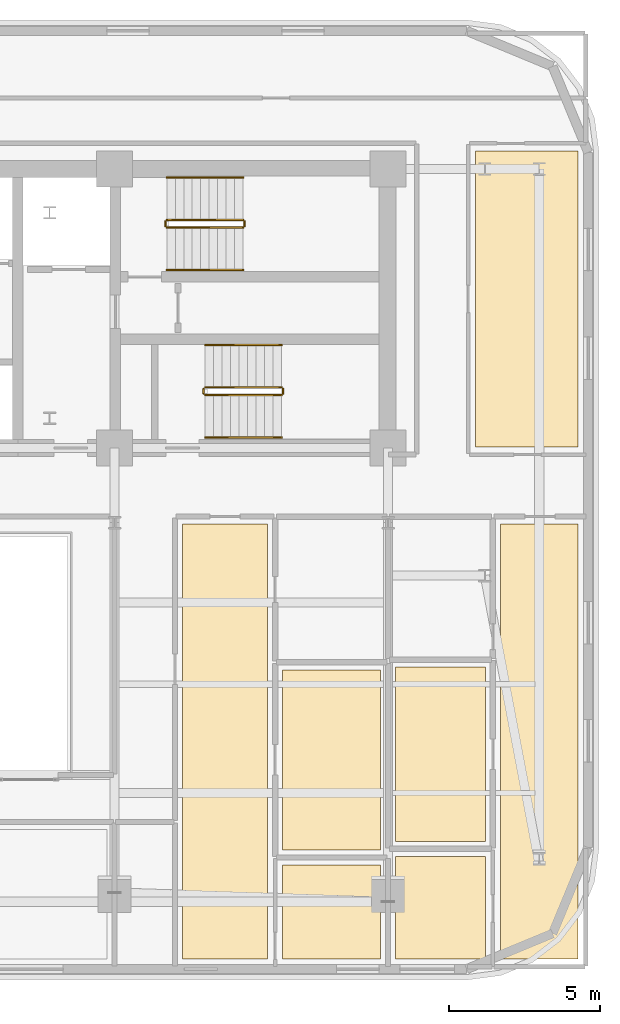
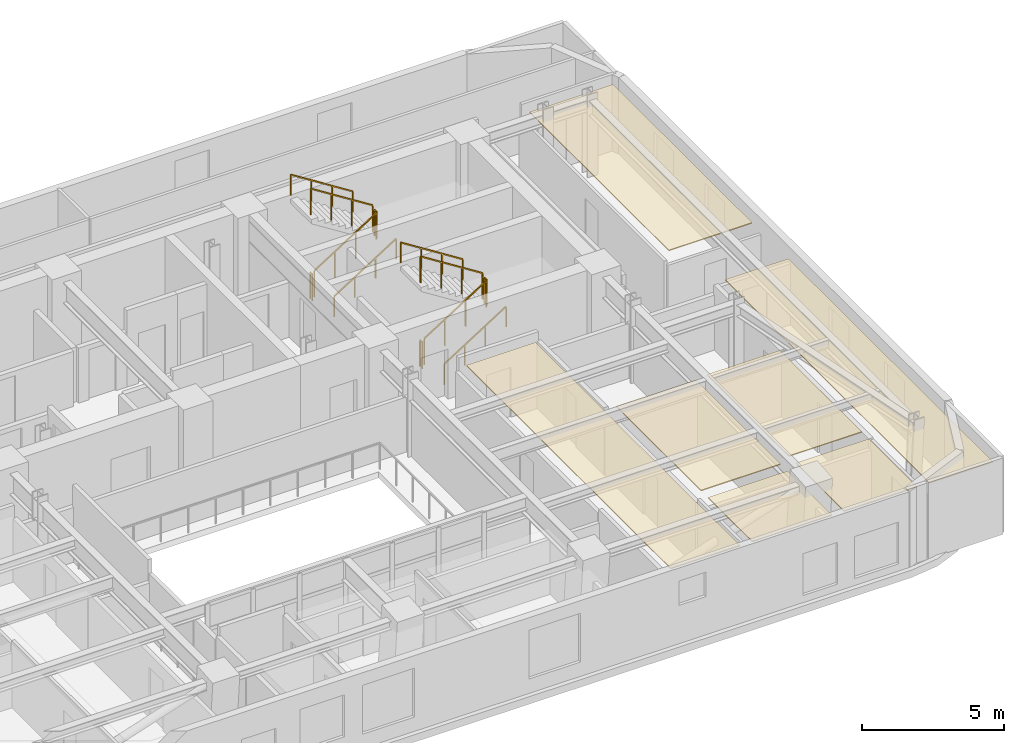
# One storey, part 12 of 12: 12 railings, 7 coverings.
"""IFC4 building model written with IfcOpenShell, lengths in metres."""

from ifc_helpers import new_model, si_unit, direction, frame, origin, origin_2d, place, context, subcontext, project, spatial, polyline, rectangle, outline, extrude, material, layer, layer_set, type_object, element, save


model = new_model("IFC4")

# Units and contexts
model_context = context("Model", 3, precision=1e-05, world=origin(), true_north=direction((0.0, 1.0)))
body_context = subcontext(model_context, "Body", "Model", "MODEL_VIEW")
ifc_project = project(units=[si_unit("LENGTHUNIT", "METRE"), si_unit("AREAUNIT", "SQUARE_METRE"), si_unit("VOLUMEUNIT", "CUBIC_METRE"), si_unit("PLANEANGLEUNIT", "RADIAN"), si_unit("MASSUNIT", "GRAM", prefix="KILO")], contexts=[model_context])

# Site, building, storey
site_placement = place(None, origin())
site = spatial("IfcSite", under=ifc_project, at=site_placement, CompositionType="ELEMENT")
building_placement = place(site_placement, origin())
building = spatial("IfcBuilding", under=site, at=building_placement, Name="Zarnavel Station Tower", CompositionType="ELEMENT")
storey_placement = place(building_placement, frame((0.0, 0.0, 144.800048828125)))
storey = spatial("IfcBuildingStorey", under=building, at=storey_placement, Name="L39", CompositionType="ELEMENT", Elevation=144.800048828125)

# Coverings
ifc_material_1 = material(Name="Perforated Gypsum and Mineral-Wool Acoustic Ceiling", Category="concrete")
ifc_layer = layer(ifc_material_1, 0.0400390625)
ifc_layer_set = layer_set([ifc_layer], Name="COV_CEIL_ACOUSTIC")
covering_type = type_object("IfcCoveringType", Name="COV_CEIL_ACOUSTIC", PredefinedType="CEILING", material=ifc_layer_set)
covering_1_placement = place(storey_placement, frame((0.0, 0.0, 2.969970703125)))
element("IfcCovering", 1, at=covering_1_placement, inside=storey, type_object=covering_type, Name="L39 FNE Acoustic Ceiling", PredefinedType="CEILING", context=body_context, shape_type="SweptSolid", body=[
    extrude(outline(polyline([(48.300048828125, 27.85009765625), (51.68994140625, 27.85009765625), (51.68994140625, 37.64990234375), (48.300048828125, 37.64990234375), (48.300048828125, 27.85009765625)])), origin(), (0.0, 0.0, 1.0), 0.0400390625),
])
covering_2_placement = place(storey_placement, frame((0.0, 0.0, 2.969970703125)))
element("IfcCovering", 2, at=covering_2_placement, inside=storey, type_object=covering_type, Name="L39 UE1LV Acoustic Ceiling", PredefinedType="CEILING", context=body_context, shape_type="SweptSolid", body=[
    extrude(outline(polyline([(38.60009765625, 10.909912109375), (41.4130859375, 10.909912109375), (41.4130859375, 25.300048828125), (38.60009765625, 25.300048828125), (38.60009765625, 10.909912109375)])), origin(), (0.0, 0.0, 1.0), 0.0400390625),
])
covering_3_placement = place(storey_placement, frame((0.0, 0.0, 2.969970703125)))
element("IfcCovering", 3, at=covering_3_placement, inside=storey, type_object=covering_type, Name="L39 UE1B1 Acoustic Ceiling", PredefinedType="CEILING", context=body_context, shape_type="SweptSolid", body=[
    extrude(outline(polyline([(41.9130859375, 10.909912109375), (45.14990234375, 10.909912109375), (45.14990234375, 14.02294921875), (41.9130859375, 14.02294921875), (41.9130859375, 10.909912109375)])), origin(), (0.0, 0.0, 1.0), 0.0400390625),
])
covering_4_placement = place(storey_placement, frame((0.0, 0.0, 2.969970703125)))
element("IfcCovering", 4, at=covering_4_placement, inside=storey, type_object=covering_type, Name="L39 UE1KT Acoustic Ceiling", PredefinedType="CEILING", context=body_context, shape_type="SweptSolid", body=[
    extrude(outline(polyline([(41.9130859375, 14.52294921875), (45.14990234375, 14.52294921875), (45.14990234375, 20.48291015625), (41.9130859375, 20.48291015625), (41.9130859375, 14.52294921875)])), origin(), (0.0, 0.0, 1.0), 0.0400390625),
])
covering_5_placement = place(storey_placement, frame((0.0, 0.0, 2.969970703125)))
element("IfcCovering", 5, at=covering_5_placement, inside=storey, type_object=covering_type, Name="L39 UE2LV Acoustic Ceiling", PredefinedType="CEILING", context=body_context, shape_type="SweptSolid", body=[
    extrude(outline(polyline([(49.115966796875, 10.909912109375), (51.68994140625, 10.909912109375), (51.68994140625, 25.300048828125), (49.115966796875, 25.300048828125), (49.115966796875, 10.909912109375)])), origin(), (0.0, 0.0, 1.0), 0.0400390625),
])
covering_6_placement = place(storey_placement, frame((0.0, 0.0, 2.969970703125)))
element("IfcCovering", 6, at=covering_6_placement, inside=storey, type_object=covering_type, Name="L39 UE2B1 Acoustic Ceiling", PredefinedType="CEILING", context=body_context, shape_type="SweptSolid", body=[
    extrude(outline(polyline([(45.64990234375, 10.909912109375), (48.615966796875, 10.909912109375), (48.615966796875, 14.304931640625), (45.64990234375, 14.304931640625), (45.64990234375, 10.909912109375)])), origin(), (0.0, 0.0, 1.0), 0.0400390625),
])
covering_7_placement = place(storey_placement, frame((0.0, 0.0, 2.969970703125)))
element("IfcCovering", 7, at=covering_7_placement, inside=storey, type_object=covering_type, Name="L39 UE2KT Acoustic Ceiling", PredefinedType="CEILING", context=body_context, shape_type="SweptSolid", body=[
    extrude(outline(polyline([(45.64990234375, 14.804931640625), (48.615966796875, 14.804931640625), (48.615966796875, 20.572021484375), (45.64990234375, 20.572021484375), (45.64990234375, 14.804931640625)])), origin(), (0.0, 0.0, 1.0), 0.0400390625),
])

# Railings
ifc_material_2 = material(Name="Painted Steel S355J2 Balustrade", Category="steel")
railing_type_1 = type_object("IfcRailingType", Name="GR_INT_1150", PredefinedType="GUARDRAIL", material=ifc_material_2)
railing_1_placement = place(storey_placement, frame((38.080078125, 35.110107421875, 0.177490234375)))
element("IfcRailing", 8, at=railing_1_placement, inside=storey, type_object=railing_type_1, Name="L39 ST2 stair guard 1", PredefinedType="GUARDRAIL", context=body_context, shape_type="SweptSolid", body=[
    extrude(rectangle(XDim=0.048095703125, YDim=0.048095703125, at=origin_2d()), frame((0.001708984375, 0.0, 1.126953125), z_axis=(0.84460694969, 0.0, 0.535386869969), x_axis=(0.0, 1.0, 0.0)), (0.0, 0.0, 1.0), 2.979736328125),
    extrude(rectangle(XDim=0.0419921875, YDim=0.0419921875, at=origin_2d()), origin(), (0.0, 0.0, 1.0), 1.101806640625),
    extrude(rectangle(XDim=0.0419921875, YDim=0.0419921875, at=origin_2d()), frame((0.840087890625, 0.0, 0.532470703125)), (0.0, 0.0, 1.0), 1.101806640625),
    extrude(rectangle(XDim=0.0419921875, YDim=0.0419921875, at=origin_2d()), frame((1.679931640625, 0.0, 1.06494140625)), (0.0, 0.0, 1.0), 1.101806640625),
    extrude(rectangle(XDim=0.0419921875, YDim=0.0419921875, at=origin_2d()), frame((2.52001953125, 0.0, 1.597412109375)), (0.0, 0.0, 1.0), 1.101806640625),
])
railing_2_placement = place(storey_placement, frame((40.64990234375, 35.159912109375, 1.77490234375)))
element("IfcRailing", 9, at=railing_2_placement, inside=storey, type_object=railing_type_1, Name="L39 ST2 stair guard 2", PredefinedType="GUARDRAIL", context=body_context, shape_type="SweptSolid", body=[
    extrude(rectangle(XDim=0.048095703125, YDim=0.048095703125, at=origin_2d()), frame((0.0, 0.001953125, 1.1259765625), z_axis=(0.0, 1.0, 0.0), x_axis=(-1.0, 0.0, 0.0)), (0.0, 0.0, 1.0), 0.15625),
    extrude(rectangle(XDim=0.0419921875, YDim=0.0419921875, at=origin_2d()), origin(), (0.0, 0.0, 1.0), 1.101806640625),
    extrude(rectangle(XDim=0.0419921875, YDim=0.0419921875, at=origin_2d()), frame((0.0, 0.16015625, 0.0)), (0.0, 0.0, 1.0), 1.101806640625),
])
railing_3_placement = place(storey_placement, frame((40.60009765625, 35.3701171875, 1.952392578125)))
element("IfcRailing", 10, at=railing_3_placement, inside=storey, type_object=railing_type_1, Name="L39 ST2 stair guard 3", PredefinedType="GUARDRAIL", context=body_context, shape_type="SweptSolid", body=[
    extrude(rectangle(XDim=0.048095703125, YDim=0.048095703125, at=origin_2d()), frame((-0.001708984375, 0.0, 1.126953125), z_axis=(-0.84456994832, 0.0, 0.535445237532), x_axis=(0.0, -1.0, 0.0)), (0.0, 0.0, 1.0), 2.979736328125),
    extrude(rectangle(XDim=0.0419921875, YDim=0.0419921875, at=origin_2d()), origin(), (0.0, 0.0, 1.0), 1.101806640625),
    extrude(rectangle(XDim=0.0419921875, YDim=0.0419921875, at=origin_2d()), frame((-0.840087890625, 0.0, 0.532470703125)), (0.0, 0.0, 1.0), 1.101806640625),
    extrude(rectangle(XDim=0.0419921875, YDim=0.0419921875, at=origin_2d()), frame((-1.679931640625, 0.0, 1.065185546875)), (0.0, 0.0, 1.0), 1.101806640625),
    extrude(rectangle(XDim=0.0419921875, YDim=0.0419921875, at=origin_2d()), frame((-2.52001953125, 0.0, 1.59765625)), (0.0, 0.0, 1.0), 1.101806640625),
])
railing_4_placement = place(storey_placement, frame((38.030029296875, 35.159912109375, 0.0)))
element("IfcRailing", 11, at=railing_4_placement, inside=storey, type_object=railing_type_1, Name="L39 ST2 stair guard 4", PredefinedType="GUARDRAIL", context=body_context, shape_type="SweptSolid", body=[
    extrude(rectangle(XDim=0.048095703125, YDim=0.048095703125, at=origin_2d()), frame((0.0, 0.001953125, 1.1259765625), z_axis=(0.0, 1.0, 0.0), x_axis=(-1.0, 0.0, 0.0)), (0.0, 0.0, 1.0), 0.15625),
    extrude(rectangle(XDim=0.0419921875, YDim=0.0419921875, at=origin_2d()), origin(), (0.0, 0.0, 1.0), 1.101806640625),
    extrude(rectangle(XDim=0.0419921875, YDim=0.0419921875, at=origin_2d()), frame((0.0, 0.16015625, 0.0)), (0.0, 0.0, 1.0), 1.101806640625),
])
railing_5_placement = place(storey_placement, frame((39.35009765625, 29.570068359375, 0.177490234375)))
element("IfcRailing", 12, at=railing_5_placement, inside=storey, type_object=railing_type_1, Name="L39 ST3 stair guard 1", PredefinedType="GUARDRAIL", context=body_context, shape_type="SweptSolid", body=[
    extrude(rectangle(XDim=0.048095703125, YDim=0.048095703125, at=origin_2d()), frame((0.001708984375, 0.0, 1.126953125), z_axis=(0.84460694969, 0.0, 0.535386869969), x_axis=(0.0, 1.0, 0.0)), (0.0, 0.0, 1.0), 2.979736328125),
    extrude(rectangle(XDim=0.0419921875, YDim=0.0419921875, at=origin_2d()), origin(), (0.0, 0.0, 1.0), 1.101806640625),
    extrude(rectangle(XDim=0.0419921875, YDim=0.0419921875, at=origin_2d()), frame((0.840087890625, 0.0, 0.532470703125)), (0.0, 0.0, 1.0), 1.101806640625),
    extrude(rectangle(XDim=0.0419921875, YDim=0.0419921875, at=origin_2d()), frame((1.679931640625, 0.0, 1.06494140625)), (0.0, 0.0, 1.0), 1.101806640625),
    extrude(rectangle(XDim=0.0419921875, YDim=0.0419921875, at=origin_2d()), frame((2.52001953125, 0.0, 1.597412109375)), (0.0, 0.0, 1.0), 1.101806640625),
])
railing_6_placement = place(storey_placement, frame((41.919921875, 29.6201171875, 1.77490234375)))
element("IfcRailing", 13, at=railing_6_placement, inside=storey, type_object=railing_type_1, Name="L39 ST3 stair guard 2", PredefinedType="GUARDRAIL", context=body_context, shape_type="SweptSolid", body=[
    extrude(rectangle(XDim=0.048095703125, YDim=0.048095703125, at=origin_2d()), frame((0.0, 0.001953125, 1.1259765625), z_axis=(0.0, 1.0, 0.0), x_axis=(-1.0, 0.0, 0.0)), (0.0, 0.0, 1.0), 0.156005859375),
    extrude(rectangle(XDim=0.0419921875, YDim=0.0419921875, at=origin_2d()), origin(), (0.0, 0.0, 1.0), 1.101806640625),
    extrude(rectangle(XDim=0.0419921875, YDim=0.0419921875, at=origin_2d()), frame((0.0, 0.159912109375, 0.0)), (0.0, 0.0, 1.0), 1.101806640625),
])
railing_7_placement = place(storey_placement, frame((41.8701171875, 29.830078125, 1.952392578125)))
element("IfcRailing", 14, at=railing_7_placement, inside=storey, type_object=railing_type_1, Name="L39 ST3 stair guard 3", PredefinedType="GUARDRAIL", context=body_context, shape_type="SweptSolid", body=[
    extrude(rectangle(XDim=0.048095703125, YDim=0.048095703125, at=origin_2d()), frame((-0.001708984375, 0.0, 1.126953125), z_axis=(-0.84456994832, 0.0, 0.535445237532), x_axis=(0.0, -1.0, 0.0)), (0.0, 0.0, 1.0), 2.979736328125),
    extrude(rectangle(XDim=0.0419921875, YDim=0.0419921875, at=origin_2d()), origin(), (0.0, 0.0, 1.0), 1.101806640625),
    extrude(rectangle(XDim=0.0419921875, YDim=0.0419921875, at=origin_2d()), frame((-0.840087890625, 0.0, 0.532470703125)), (0.0, 0.0, 1.0), 1.101806640625),
    extrude(rectangle(XDim=0.0419921875, YDim=0.0419921875, at=origin_2d()), frame((-1.679931640625, 0.0, 1.065185546875)), (0.0, 0.0, 1.0), 1.101806640625),
    extrude(rectangle(XDim=0.0419921875, YDim=0.0419921875, at=origin_2d()), frame((-2.52001953125, 0.0, 1.59765625)), (0.0, 0.0, 1.0), 1.101806640625),
])
railing_8_placement = place(storey_placement, frame((39.300048828125, 29.6201171875, 0.0)))
element("IfcRailing", 15, at=railing_8_placement, inside=storey, type_object=railing_type_1, Name="L39 ST3 stair guard 4", PredefinedType="GUARDRAIL", context=body_context, shape_type="SweptSolid", body=[
    extrude(rectangle(XDim=0.048095703125, YDim=0.048095703125, at=origin_2d()), frame((0.0, 0.001953125, 1.1259765625), z_axis=(0.0, 1.0, 0.0), x_axis=(-1.0, 0.0, 0.0)), (0.0, 0.0, 1.0), 0.156005859375),
    extrude(rectangle(XDim=0.0419921875, YDim=0.0419921875, at=origin_2d()), origin(), (0.0, 0.0, 1.0), 1.101806640625),
    extrude(rectangle(XDim=0.0419921875, YDim=0.0419921875, at=origin_2d()), frame((0.0, 0.159912109375, 0.0)), (0.0, 0.0, 1.0), 1.101806640625),
])
ifc_material_3 = material(Name="Brushed Stainless Steel S355J2 Handrail", Category="steel")
railing_type_2 = type_object("IfcRailingType", Name="HR_STAIR_900", PredefinedType="HANDRAIL", material=ifc_material_3)
railing_9_placement = place(storey_placement, frame((38.080078125, 33.7099609375, 0.177490234375)))
element("IfcRailing", 16, at=railing_9_placement, inside=storey, type_object=railing_type_2, Name="L39 ST2 stair handrail 1", PredefinedType="HANDRAIL", context=body_context, shape_type="SweptSolid", body=[
    extrude(rectangle(XDim=0.048095703125, YDim=0.048095703125, at=origin_2d()), frame((0.001708984375, 0.0, 0.876953125), z_axis=(0.84460694969, 0.0, 0.535386869969), x_axis=(0.0, 1.0, 0.0)), (0.0, 0.0, 1.0), 2.979736328125),
    extrude(rectangle(XDim=0.0419921875, YDim=0.0419921875, at=origin_2d()), origin(), (0.0, 0.0, 1.0), 0.851806640625),
    extrude(rectangle(XDim=0.0419921875, YDim=0.0419921875, at=origin_2d()), frame((0.840087890625, 0.0, 0.532470703125)), (0.0, 0.0, 1.0), 0.851806640625),
    extrude(rectangle(XDim=0.0419921875, YDim=0.0419921875, at=origin_2d()), frame((1.679931640625, 0.0, 1.06494140625)), (0.0, 0.0, 1.0), 0.851806640625),
    extrude(rectangle(XDim=0.0419921875, YDim=0.0419921875, at=origin_2d()), frame((2.52001953125, 0.0, 1.597412109375)), (0.0, 0.0, 1.0), 0.851806640625),
])
railing_10_placement = place(storey_placement, frame((40.60009765625, 36.77001953125, 1.952392578125)))
element("IfcRailing", 17, at=railing_10_placement, inside=storey, type_object=railing_type_2, Name="L39 ST2 stair handrail 2", PredefinedType="HANDRAIL", context=body_context, shape_type="SweptSolid", body=[
    extrude(rectangle(XDim=0.048095703125, YDim=0.048095703125, at=origin_2d()), frame((-0.001708984375, 0.0, 0.876953125), z_axis=(-0.84456994832, 0.0, 0.535445237532), x_axis=(0.0, -1.0, 0.0)), (0.0, 0.0, 1.0), 2.979736328125),
    extrude(rectangle(XDim=0.0419921875, YDim=0.0419921875, at=origin_2d()), origin(), (0.0, 0.0, 1.0), 0.851806640625),
    extrude(rectangle(XDim=0.0419921875, YDim=0.0419921875, at=origin_2d()), frame((-0.840087890625, 0.0, 0.532470703125)), (0.0, 0.0, 1.0), 0.851806640625),
    extrude(rectangle(XDim=0.0419921875, YDim=0.0419921875, at=origin_2d()), frame((-1.679931640625, 0.0, 1.065185546875)), (0.0, 0.0, 1.0), 0.851806640625),
    extrude(rectangle(XDim=0.0419921875, YDim=0.0419921875, at=origin_2d()), frame((-2.52001953125, 0.0, 1.59765625)), (0.0, 0.0, 1.0), 0.851806640625),
])
railing_11_placement = place(storey_placement, frame((39.35009765625, 28.169921875, 0.177490234375)))
element("IfcRailing", 18, at=railing_11_placement, inside=storey, type_object=railing_type_2, Name="L39 ST3 stair handrail 1", PredefinedType="HANDRAIL", context=body_context, shape_type="SweptSolid", body=[
    extrude(rectangle(XDim=0.048095703125, YDim=0.048095703125, at=origin_2d()), frame((0.001708984375, 0.0, 0.876953125), z_axis=(0.84460694969, 0.0, 0.535386869969), x_axis=(0.0, 1.0, 0.0)), (0.0, 0.0, 1.0), 2.979736328125),
    extrude(rectangle(XDim=0.0419921875, YDim=0.0419921875, at=origin_2d()), origin(), (0.0, 0.0, 1.0), 0.851806640625),
    extrude(rectangle(XDim=0.0419921875, YDim=0.0419921875, at=origin_2d()), frame((0.840087890625, 0.0, 0.532470703125)), (0.0, 0.0, 1.0), 0.851806640625),
    extrude(rectangle(XDim=0.0419921875, YDim=0.0419921875, at=origin_2d()), frame((1.679931640625, 0.0, 1.06494140625)), (0.0, 0.0, 1.0), 0.851806640625),
    extrude(rectangle(XDim=0.0419921875, YDim=0.0419921875, at=origin_2d()), frame((2.52001953125, 0.0, 1.597412109375)), (0.0, 0.0, 1.0), 0.851806640625),
])
railing_12_placement = place(storey_placement, frame((41.8701171875, 31.22998046875, 1.952392578125)))
element("IfcRailing", 19, at=railing_12_placement, inside=storey, type_object=railing_type_2, Name="L39 ST3 stair handrail 2", PredefinedType="HANDRAIL", context=body_context, shape_type="SweptSolid", body=[
    extrude(rectangle(XDim=0.048095703125, YDim=0.048095703125, at=origin_2d()), frame((-0.001708984375, 0.0, 0.876953125), z_axis=(-0.84456994832, 0.0, 0.535445237532), x_axis=(0.0, -1.0, 0.0)), (0.0, 0.0, 1.0), 2.979736328125),
    extrude(rectangle(XDim=0.0419921875, YDim=0.0419921875, at=origin_2d()), origin(), (0.0, 0.0, 1.0), 0.851806640625),
    extrude(rectangle(XDim=0.0419921875, YDim=0.0419921875, at=origin_2d()), frame((-0.840087890625, 0.0, 0.532470703125)), (0.0, 0.0, 1.0), 0.851806640625),
    extrude(rectangle(XDim=0.0419921875, YDim=0.0419921875, at=origin_2d()), frame((-1.679931640625, 0.0, 1.065185546875)), (0.0, 0.0, 1.0), 0.851806640625),
    extrude(rectangle(XDim=0.0419921875, YDim=0.0419921875, at=origin_2d()), frame((-2.52001953125, 0.0, 1.59765625)), (0.0, 0.0, 1.0), 0.851806640625),
])

save(model, "model.ifc")
